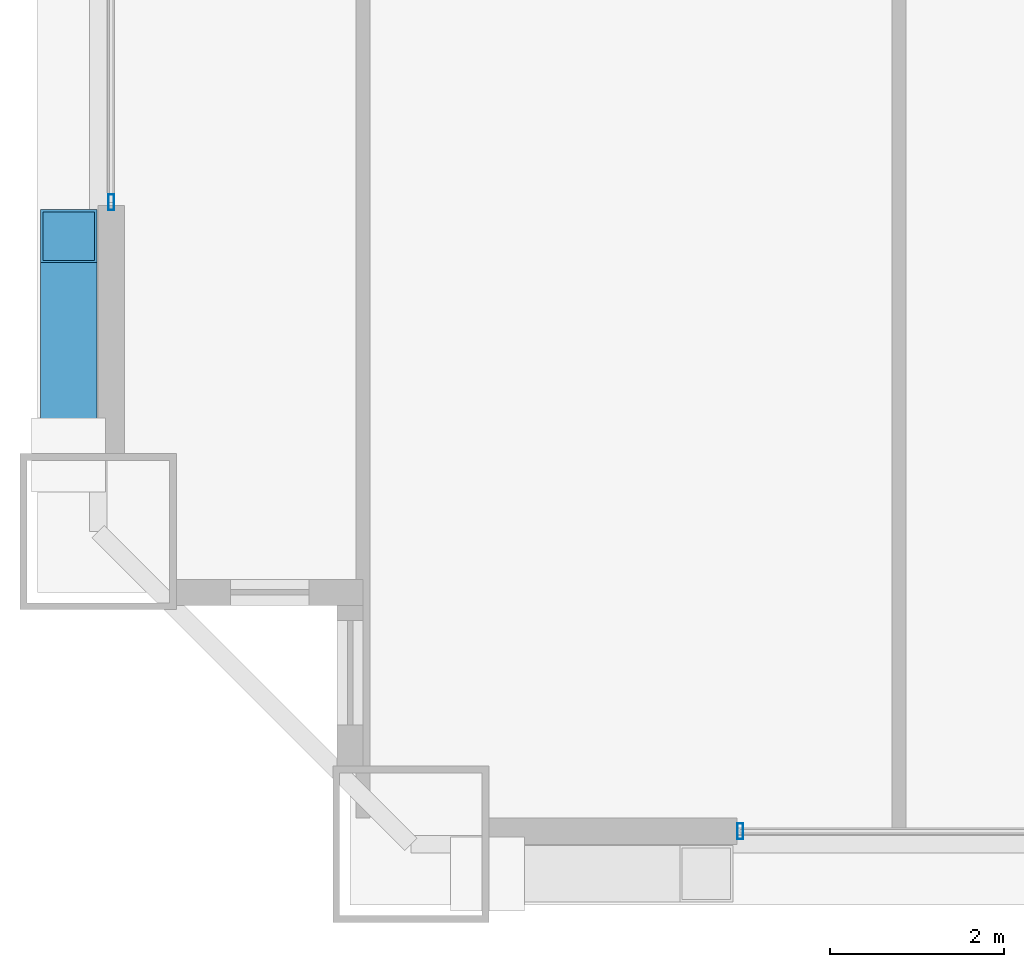
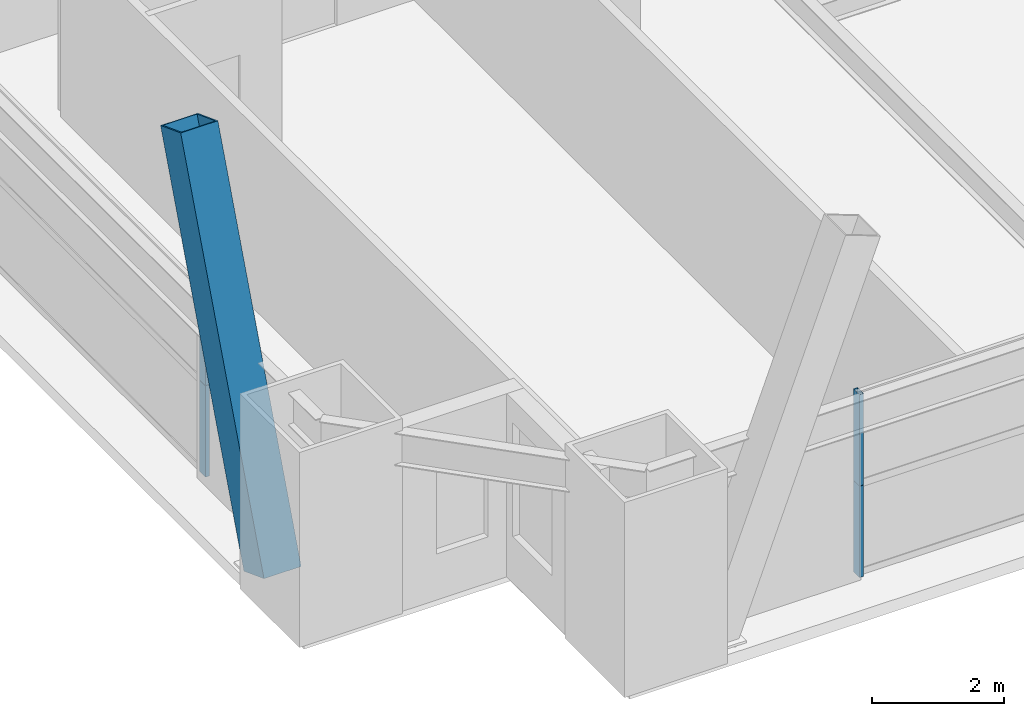
# One storey, part 3 of 43: 5 members, 2 elements without a shape of their own.
"""IFC4 building model written with IfcOpenShell, lengths in metres."""

from ifc_helpers import new_model, si_unit, direction, frame, origin, origin_2d, place, context, subcontext, project, spatial, hollow_rectangle, extrude, source, transform, mapped, material, layer, layer_set, material_profile, profile_set, type_object, element, aggregate, save


model = new_model("IFC4")

# Units and contexts
model_context = context("Model", 3, precision=1e-05, world=origin(), true_north=direction((0.0, 1.0)))
body_context = subcontext(model_context, "Body", "Model", "MODEL_VIEW")
ifc_project = project(units=[si_unit("LENGTHUNIT", "METRE"), si_unit("AREAUNIT", "SQUARE_METRE"), si_unit("VOLUMEUNIT", "CUBIC_METRE"), si_unit("PLANEANGLEUNIT", "RADIAN"), si_unit("MASSUNIT", "GRAM", prefix="KILO"), si_unit("THERMODYNAMICTEMPERATUREUNIT", "KELVIN"), si_unit("POWERUNIT", "WATT")], contexts=[model_context])

# Site, building, storey
site_placement = place(None, origin())
site = spatial("IfcSite", under=ifc_project, at=site_placement, CompositionType="ELEMENT")
building_placement = place(site_placement, origin())
building = spatial("IfcBuilding", under=site, at=building_placement, Name="Yuzanri Waterfront Tower", CompositionType="ELEMENT")
storey_placement = place(building_placement, frame((0.0, 0.0, 60.39990234375)))
storey = spatial("IfcBuildingStorey", under=building, at=storey_placement, Name="L15", CompositionType="ELEMENT", Elevation=60.39990234375)

# Member
ifc_material_1 = material(Name="Steel Q420GJC", Category="steel")
ifc_material_profile_1 = material_profile(ifc_material_1, hollow_rectangle(XDim=0.64990234375, YDim=0.64990234375, WallThickness=0.028076171875, at=origin_2d()), Name="RHS 650x650x28")
ifc_profile_set_1 = profile_set([ifc_material_profile_1], Name="Steel Q420GJC")
member_type_1 = type_object("IfcMemberType", Name="Mega Brace Lower Q420GJC RHS 650x650x28", PredefinedType="BRACE", material=ifc_profile_set_1)
shared_shape_1 = source(origin(), body_context, "Body", "SweptSolid", [
    extrude(hollow_rectangle(XDim=0.64990234375, YDim=0.64990234375, WallThickness=0.028076171875, at=origin_2d()), origin(), (0.0, 0.0, 1.0), 7.158203125),
])
member_1_placement = place(storey_placement, frame((11.56005859375, 5.179931640625, 0.18017578125), z_axis=(0.0, 0.352046480343, 0.935982518896), x_axis=(-1.0, 0.0, 0.0)))
element("IfcMember", 1, at=member_1_placement, inside=storey, type_object=member_type_1, Name="L15-L16 Perimeter Mega-Brace W-L", PredefinedType="BRACE", context=body_context, shape_type="MappedRepresentation", body=[
    mapped(shared_shape_1, transform((0.0, 0.0, 0.0), scale=1.0)),
])

# Curtain wall, members
ifc_material_2 = material(Name="Anodized Architectural Bronze", Category="metal")
ifc_layer = layer(ifc_material_2, 0.159912109375)
ifc_layer_set = layer_set([ifc_layer], Name="Anodized Architectural Bronze")
curtain_wall_type = type_object("IfcCurtainWallType", Name="Anodized Bronze Hotel Lower-Tier Recessed Unitized Curtain Wall 8100", PredefinedType="NOTDEFINED", material=ifc_layer_set)
curtain_wall_1_placement = place(storey_placement, origin())
curtain_wall_1 = element("IfcCurtainWall", 2, at=curtain_wall_1_placement, inside=storey, type_object=curtain_wall_type, Name="L15 Curtain Wall CW-L15-SL", PredefinedType="NOTDEFINED")
ifc_material_3 = material(Name="Anodized Architectural Bronze", Category="metal")
ifc_material_profile_2 = material_profile(ifc_material_3, hollow_rectangle(XDim=0.070068359375, YDim=0.179931640625, WallThickness=0.00390625, at=origin_2d()), Name="CWM 70x180")
ifc_profile_set_2 = profile_set([ifc_material_profile_2], Name="Anodized Architectural Bronze")
member_type_2 = type_object("IfcMemberType", Name="Anodized Bronze Standard Curtain-Wall Mullion 70x180", PredefinedType="MULLION", material=ifc_profile_set_2)
shared_shape_2 = source(origin(), body_context, "Body", "SweptSolid", [
    extrude(hollow_rectangle(XDim=0.070068359375, YDim=0.179931640625, WallThickness=0.00390625, at=origin_2d()), origin(), (0.0, 0.0, 1.0), 1.68798828125),
])
member_2_placement = place(storey_placement, frame((19.2900390625, 0.85009765625, 0.0), z_axis=(0.0, 0.0, 1.0), x_axis=(1.0, 0.0, 0.0)))
member_2 = element("IfcMember", 3, at=member_2_placement, type_object=member_type_2, Name="CW-L15-SL Lower Mullion 00", PredefinedType="MULLION", context=body_context, shape_type="MappedRepresentation", body=[
    mapped(shared_shape_2, transform((0.0, 0.0, 0.0), scale=1.0)),
])
member_3_placement = place(storey_placement, frame((19.2900390625, 0.85009765625, 1.692138671875), z_axis=(0.0, 0.0, 1.0), x_axis=(1.0, 0.0, 0.0)))
member_3 = element("IfcMember", 4, at=member_3_placement, type_object=member_type_2, Name="CW-L15-SL Upper Mullion 00", PredefinedType="MULLION", context=body_context, shape_type="MappedRepresentation", body=[
    mapped(shared_shape_2, transform((0.0, 0.0, 0.0), scale=1.0)),
])
aggregate(curtain_wall_1, [member_2, member_3])

curtain_wall_2_placement = place(storey_placement, origin())
curtain_wall_2 = element("IfcCurtainWall", 5, at=curtain_wall_2_placement, inside=storey, type_object=curtain_wall_type, Name="L15 Curtain Wall CW-L15-WL", PredefinedType="NOTDEFINED")
member_4_placement = place(storey_placement, frame((12.050048828125, 8.090087890625, 0.0), z_axis=(0.0, 0.0, 1.0), x_axis=(1.0, 0.0, 0.0)))
member_4 = element("IfcMember", 6, at=member_4_placement, type_object=member_type_2, Name="CW-L15-WL Lower Mullion 00", PredefinedType="MULLION", context=body_context, shape_type="MappedRepresentation", body=[
    mapped(shared_shape_2, transform((0.0, 0.0, 0.0), scale=1.0)),
])
member_5_placement = place(storey_placement, frame((12.050048828125, 8.090087890625, 1.692138671875), z_axis=(0.0, 0.0, 1.0), x_axis=(1.0, 0.0, 0.0)))
member_5 = element("IfcMember", 7, at=member_5_placement, type_object=member_type_2, Name="CW-L15-WL Upper Mullion 00", PredefinedType="MULLION", context=body_context, shape_type="MappedRepresentation", body=[
    mapped(shared_shape_2, transform((0.0, 0.0, 0.0), scale=1.0)),
])
aggregate(curtain_wall_2, [member_4, member_5])

save(model, "model.ifc")
